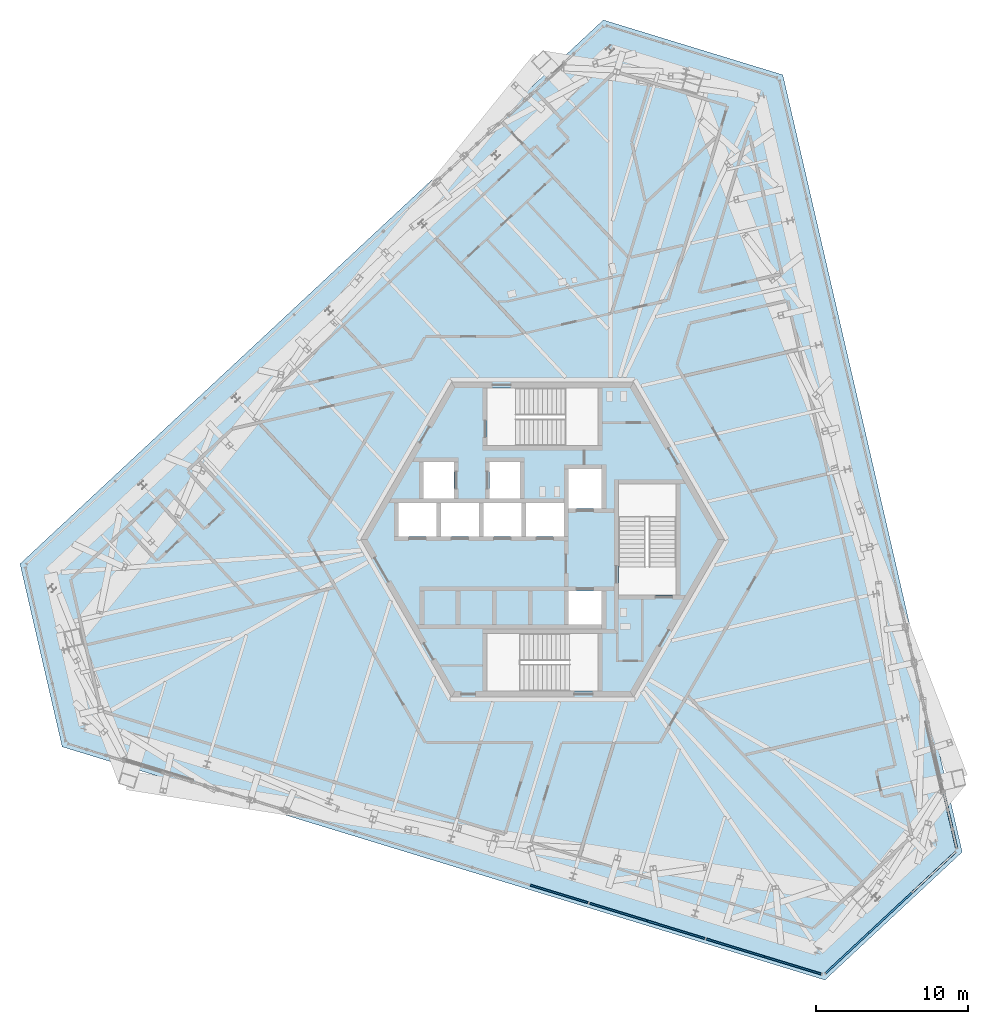
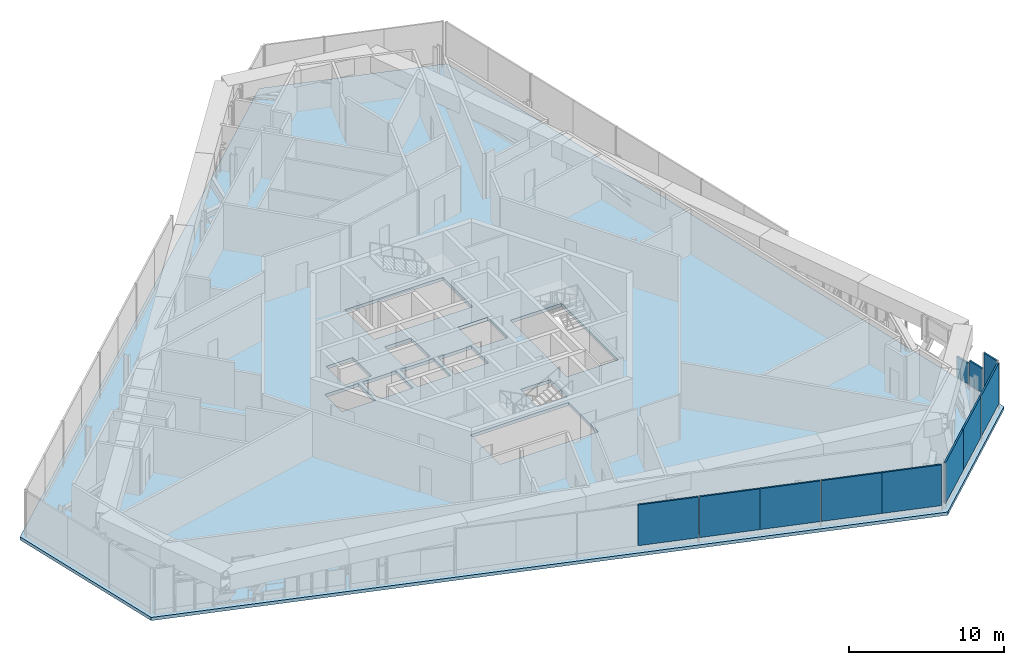
# One storey, part 15 of 31: 11 plates, 1 slab, 5 elements without a shape of their own.
"""IFC4 building model written with IfcOpenShell, lengths in metres."""

from ifc_helpers import new_model, si_unit, direction, frame, origin, origin_2d, place, context, subcontext, project, spatial, polyline, rectangle, outline, extrude, source, transform, mapped, material, layer, layer_set, type_object, element, aggregate, save


model = new_model("IFC4")

# Units and contexts
model_context = context("Model", 3, precision=1e-05, world=origin(), true_north=direction((0.0, 1.0)))
body_context = subcontext(model_context, "Body", "Model", "MODEL_VIEW")
ifc_project = project(units=[si_unit("LENGTHUNIT", "METRE"), si_unit("AREAUNIT", "SQUARE_METRE"), si_unit("VOLUMEUNIT", "CUBIC_METRE"), si_unit("PLANEANGLEUNIT", "RADIAN"), si_unit("MASSUNIT", "GRAM", prefix="KILO")], contexts=[model_context])

# Site, building, storey
site_placement = place(None, origin())
site = spatial("IfcSite", under=ifc_project, at=site_placement, CompositionType="ELEMENT")
building_placement = place(site_placement, origin())
building = spatial("IfcBuilding", under=site, at=building_placement, Name="Triune Harvest Tower", CompositionType="ELEMENT")
storey_placement = place(building_placement, frame((0.0, 0.0, 134.300048828125)))
storey = spatial("IfcBuildingStorey", under=building, at=storey_placement, Name="L34", CompositionType="ELEMENT", Elevation=134.300048828125)

# Slab
ifc_material_1 = material(Name="Concrete 40 MPa", Category="concrete")
ifc_layer_1 = layer(ifc_material_1, 0.25)
ifc_layer_set_1 = layer_set([ifc_layer_1], Name="Concrete 40 MPa")
slab_type = type_object("IfcSlabType", Name="SL-4 Composite floor slab 250", PredefinedType="FLOOR", material=ifc_layer_set_1)
slab_placement = place(storey_placement, frame((0.0, 0.0, -0.25)))
element("IfcSlab", 1, at=slab_placement, inside=storey, type_object=slab_type, Name="slab/L34/1", PredefinedType="FLOOR", context=body_context, shape_type="SweptSolid", body=[
    extrude(outline(polyline([(27.666748046875, -20.59765625), (15.83740234375, 30.641357421875), (4.004638671875, 34.2587890625), (-34.454833984375, -1.60498046875), (-31.67138671875, -13.661376953125), (18.617431640625, -29.0361328125), (27.666748046875, -20.59765625)]), holes=[polyline([(-7.0, 0.2099609375), (-7.0, 2.409912109375), (-9.5, 2.409912109375), (-9.5, 0.2099609375), (-7.0, 0.2099609375)]), polyline([(-4.199951171875, 0.2099609375), (-4.199951171875, 2.409912109375), (-6.699951171875, 2.409912109375), (-6.699951171875, 0.2099609375), (-4.199951171875, 0.2099609375)]), polyline([(-1.39990234375, 0.2099609375), (-1.39990234375, 2.409912109375), (-3.89990234375, 2.409912109375), (-3.89990234375, 0.2099609375), (-1.39990234375, 0.2099609375)]), polyline([(1.39990234375, 0.2099609375), (1.39990234375, 2.409912109375), (-1.10009765625, 2.409912109375), (-1.10009765625, 0.2099609375), (1.39990234375, 0.2099609375)]), polyline([(3.89990234375, 2.06005859375), (3.89990234375, 4.659912109375), (1.699951171875, 4.659912109375), (1.699951171875, 2.06005859375), (3.89990234375, 2.06005859375)]), polyline([(3.89990234375, -5.590087890625), (3.89990234375, -3.389892578125), (1.699951171875, -3.389892578125), (1.699951171875, -5.590087890625), (3.89990234375, -5.590087890625)]), polyline([(-5.85009765625, 2.7099609375), (-5.85009765625, 5.110107421875), (-7.85009765625, 5.110107421875), (-7.85009765625, 2.7099609375), (-5.85009765625, 2.7099609375)]), polyline([(-1.5, 2.7099609375), (-1.5, 5.110107421875), (-3.5, 5.110107421875), (-3.5, 2.7099609375), (-1.5, 2.7099609375)]), polyline([(3.64990234375, 6.18994140625), (3.64990234375, 9.989990234375), (-3.64990234375, 9.989990234375), (-3.64990234375, 6.18994140625), (3.64990234375, 6.18994140625)]), polyline([(3.64990234375, -9.989990234375), (3.64990234375, -6.18994140625), (-3.64990234375, -6.18994140625), (-3.64990234375, -9.989990234375), (3.64990234375, -9.989990234375)]), polyline([(8.800048828125, -3.64990234375), (8.800048828125, 3.64990234375), (5.0, 3.64990234375), (5.0, -3.64990234375), (8.800048828125, -3.64990234375)])]), origin(), (0.0, 0.0, 1.0), 0.25),
])

# Curtain wall, plate
ifc_material_2 = material(Name="Aluminium bronze anodised", Category="aluminium")
curtain_wall_type = type_object("IfcCurtainWallType", Name="CW-5 Plant louvre wall", PredefinedType="NOTDEFINED", material=ifc_material_2)
curtain_wall_1_placement = place(storey_placement, origin())
curtain_wall_1 = element("IfcCurtainWall", 2, at=curtain_wall_1_placement, inside=storey, type_object=curtain_wall_type, Name="CW-5 B3-F1 L34 run 1")
ifc_material_3 = material(Name="Aluminium bronze anodised", Category="aluminium")
ifc_layer_2 = layer(ifc_material_3, 0.1201171875)
ifc_layer_set_2 = layer_set([ifc_layer_2], Name="Aluminium bronze anodised")
plate_type = type_object("IfcPlateType", Name="GL-5 panel 120", PredefinedType="CURTAIN_PANEL", material=ifc_layer_set_2)
shared_shape_1 = source(origin(), body_context, "Body", "SweptSolid", [
    extrude(rectangle(XDim=1.175537109375, YDim=0.1201171875, at=origin_2d()), origin(), (0.0, 0.0, 1.0), 3.199951171875),
])
plate_1_placement = place(storey_placement, frame((27.1650390625, -19.758056640625, 0.39990234375), z_axis=(0.0, 0.0, 1.0), x_axis=(-0.225018100478, 0.974354583536, 0.0)))
plate_1 = element("IfcPlate", 3, at=plate_1_placement, type_object=plate_type, Name="CW-5 panel B3-F1 1.1", PredefinedType="CURTAIN_PANEL", context=body_context, shape_type="MappedRepresentation", body=[
    mapped(shared_shape_1, transform((0.0, 0.0, 0.0), scale=1.0)),
])
aggregate(curtain_wall_1, [plate_1])

curtain_wall_2_placement = place(storey_placement, origin())
curtain_wall_2 = element("IfcCurtainWall", 4, at=curtain_wall_2_placement, inside=storey, type_object=curtain_wall_type, Name="CW-5 B3-F1 L34 run 101")
shared_shape_2 = source(origin(), body_context, "Body", "SweptSolid", [
    extrude(rectangle(XDim=1.175537109375, YDim=0.1201171875, at=origin_2d()), origin(), (0.0, 0.0, 1.0), 1.889892578125),
])
plate_2_placement = place(storey_placement, frame((26.864501953125, -18.456787109375, 0.39990234375), z_axis=(0.0, 0.0, 1.0), x_axis=(-0.224947008929, 0.974370998734, 0.0)))
plate_2 = element("IfcPlate", 5, at=plate_2_placement, type_object=plate_type, Name="CW-5 panel B3-F1 101.1", PredefinedType="CURTAIN_PANEL", context=body_context, shape_type="MappedRepresentation", body=[
    mapped(shared_shape_2, transform((0.0, 0.0, 0.0), scale=1.0)),
])
aggregate(curtain_wall_2, [plate_2])

curtain_wall_3_placement = place(storey_placement, origin())
curtain_wall_3 = element("IfcCurtainWall", 6, at=curtain_wall_3_placement, inside=storey, type_object=curtain_wall_type, Name="CW-5 B3-F1 L34 run 201")
shared_shape_3 = source(origin(), body_context, "Body", "SweptSolid", [
    extrude(rectangle(XDim=1.0810546875, YDim=0.1201171875, at=origin_2d()), origin(), (0.0, 0.0, 1.0), 1.622802734375),
])
plate_3_placement = place(storey_placement, frame((26.574951171875, -17.20166015625, 0.39990234375), z_axis=(0.0, 0.0, 1.0), x_axis=(-0.224900702236, 0.974381688115, 0.0)))
plate_3 = element("IfcPlate", 7, at=plate_3_placement, type_object=plate_type, Name="CW-5 panel B3-F1 201.1", PredefinedType="CURTAIN_PANEL", context=body_context, shape_type="MappedRepresentation", body=[
    mapped(shared_shape_3, transform((0.0, 0.0, 0.0), scale=1.0)),
])
aggregate(curtain_wall_3, [plate_3])

# Curtain wall, plates
curtain_wall_4_placement = place(storey_placement, origin())
curtain_wall_4 = element("IfcCurtainWall", 8, at=curtain_wall_4_placement, inside=storey, type_object=curtain_wall_type, Name="CW-5 B3-F5 L34 run 1401")
shared_shape_4 = source(origin(), body_context, "Body", "SweptSolid", [
    extrude(rectangle(XDim=3.9462890625, YDim=0.1201171875, at=origin_2d()), origin(), (0.0, 0.0, 1.0), 3.199951171875),
])
plate_4_placement = place(storey_placement, frame((16.489990234375, -28.072021484375, 0.39990234375), z_axis=(0.0, 0.0, 1.0), x_axis=(0.956304080466, -0.292373914166, 0.0)))
plate_4 = element("IfcPlate", 9, at=plate_4_placement, type_object=plate_type, Name="CW-5 panel B3-F5 1401.8", PredefinedType="CURTAIN_PANEL", context=body_context, shape_type="MappedRepresentation", body=[
    mapped(shared_shape_4, transform((0.0, 0.0, 0.0), scale=1.0)),
])
shared_shape_5 = source(origin(), body_context, "Body", "SweptSolid", [
    extrude(rectangle(XDim=3.986328125, YDim=0.1201171875, at=origin_2d()), origin(), (0.0, 0.0, 1.0), 3.199951171875),
])
plate_5_placement = place(storey_placement, frame((1.107666015625, -23.369140625, 0.39990234375), z_axis=(0.0, 0.0, 1.0), x_axis=(0.956304080466, -0.292373914166, 0.0)))
plate_5 = element("IfcPlate", 10, at=plate_5_placement, type_object=plate_type, Name="CW-5 panel B3-F5 1401.4", PredefinedType="CURTAIN_PANEL", context=body_context, shape_type="MappedRepresentation", body=[
    mapped(shared_shape_5, transform((0.0, 0.0, 0.0), scale=1.0)),
])
plate_6_placement = place(storey_placement, frame((4.996337890625, -24.55810546875, 0.39990234375), z_axis=(0.0, 0.0, 1.0), x_axis=(0.956304080466, -0.292373914166, 0.0)))
plate_6 = element("IfcPlate", 11, at=plate_6_placement, type_object=plate_type, Name="CW-5 panel B3-F5 1401.5", PredefinedType="CURTAIN_PANEL", context=body_context, shape_type="MappedRepresentation", body=[
    mapped(shared_shape_5, transform((0.0, 0.0, 0.0), scale=1.0)),
])
plate_7_placement = place(storey_placement, frame((8.808349609375, -25.7236328125, 0.39990234375), z_axis=(0.0, 0.0, 1.0), x_axis=(0.956304080466, -0.292373914166, 0.0)))
plate_7 = element("IfcPlate", 12, at=plate_7_placement, type_object=plate_type, Name="CW-5 panel B3-F5 1401.6", PredefinedType="CURTAIN_PANEL", context=body_context, shape_type="MappedRepresentation", body=[
    mapped(shared_shape_5, transform((0.0, 0.0, 0.0), scale=1.0)),
])
plate_8_placement = place(storey_placement, frame((12.697021484375, -26.912353515625, 0.39990234375), z_axis=(0.0, 0.0, 1.0), x_axis=(0.956304080466, -0.292373914166, 0.0)))
plate_8 = element("IfcPlate", 13, at=plate_8_placement, type_object=plate_type, Name="CW-5 panel B3-F5 1401.7", PredefinedType="CURTAIN_PANEL", context=body_context, shape_type="MappedRepresentation", body=[
    mapped(shared_shape_5, transform((0.0, 0.0, 0.0), scale=1.0)),
])
aggregate(curtain_wall_4, [plate_5, plate_6, plate_7, plate_8, plate_4])

curtain_wall_5_placement = place(storey_placement, origin())
curtain_wall_5 = element("IfcCurtainWall", 14, at=curtain_wall_5_placement, inside=storey, type_object=curtain_wall_type, Name="CW-5 B3-F6 L34 run 1")
shared_shape_6 = source(origin(), body_context, "Body", "SweptSolid", [
    extrude(rectangle(XDim=3.868896484375, YDim=0.1201171875, at=origin_2d()), origin(), (0.0, 0.0, 1.0), 3.199951171875),
])
plate_9_placement = place(storey_placement, frame((20.07861328125, -27.263427734375, 0.39990234375), z_axis=(0.0, 0.0, 1.0), x_axis=(0.731349946151, 0.682002387287, 0.0)))
plate_9 = element("IfcPlate", 15, at=plate_9_placement, type_object=plate_type, Name="CW-5 panel B3-F6 1.1", PredefinedType="CURTAIN_PANEL", context=body_context, shape_type="MappedRepresentation", body=[
    mapped(shared_shape_6, transform((0.0, 0.0, 0.0), scale=1.0)),
])
shared_shape_7 = source(origin(), body_context, "Body", "SweptSolid", [
    extrude(rectangle(XDim=3.908935546875, YDim=0.1201171875, at=origin_2d()), origin(), (0.0, 0.0, 1.0), 3.199951171875),
])
plate_10_placement = place(storey_placement, frame((22.9228515625, -24.611083984375, 0.39990234375), z_axis=(0.0, 0.0, 1.0), x_axis=(0.731349946151, 0.682002387287, 0.0)))
plate_10 = element("IfcPlate", 16, at=plate_10_placement, type_object=plate_type, Name="CW-5 panel B3-F6 1.2", PredefinedType="CURTAIN_PANEL", context=body_context, shape_type="MappedRepresentation", body=[
    mapped(shared_shape_7, transform((0.0, 0.0, 0.0), scale=1.0)),
])
shared_shape_8 = source(origin(), body_context, "Body", "SweptSolid", [
    extrude(rectangle(XDim=3.828857421875, YDim=0.1201171875, at=origin_2d()), origin(), (0.0, 0.0, 1.0), 3.199951171875),
])
plate_11_placement = place(storey_placement, frame((25.81103515625, -21.91796875, 0.39990234375), z_axis=(0.0, 0.0, 1.0), x_axis=(0.731349946151, 0.682002387287, 0.0)))
plate_11 = element("IfcPlate", 17, at=plate_11_placement, type_object=plate_type, Name="CW-5 panel B3-F6 1.3", PredefinedType="CURTAIN_PANEL", context=body_context, shape_type="MappedRepresentation", body=[
    mapped(shared_shape_8, transform((0.0, 0.0, 0.0), scale=1.0)),
])
aggregate(curtain_wall_5, [plate_9, plate_10, plate_11])

save(model, "model.ifc")
